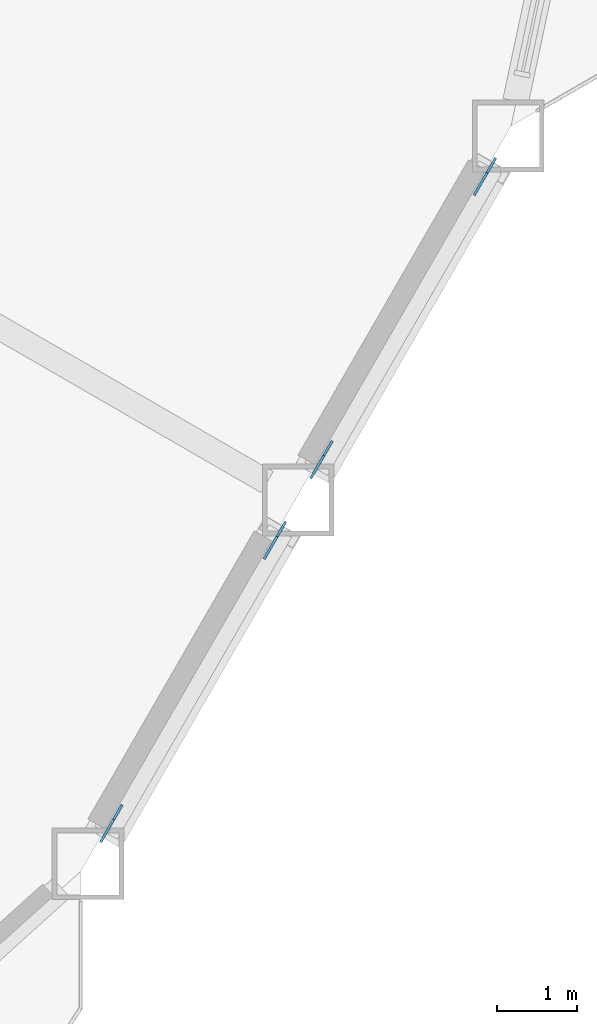
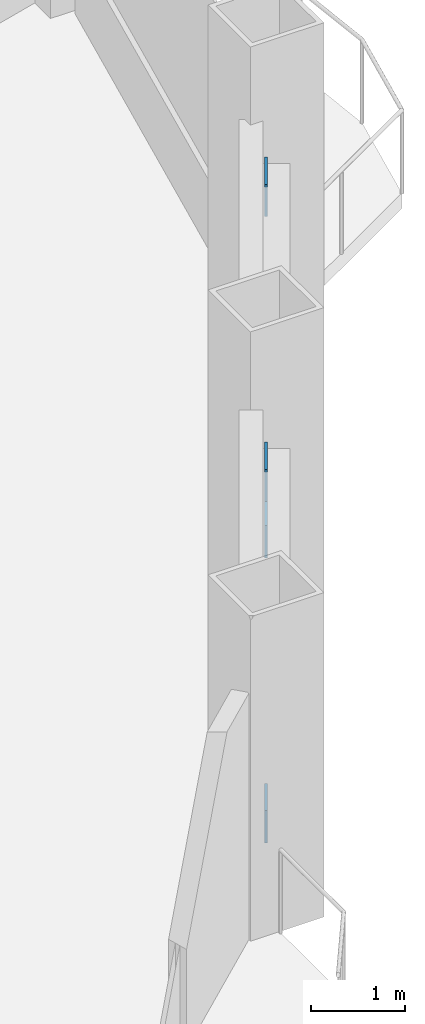
# One storey, part 15 of 21: 4 discrete accessories.
"""IFC4 building model written with IfcOpenShell, lengths in metres."""

from ifc_helpers import new_model, si_unit, direction, frame, origin, origin_2d, place, context, subcontext, project, spatial, rectangle, extrude, material, material_profile, profile_set, type_object, element, save


model = new_model("IFC4")

# Units and contexts
model_context = context("Model", 3, precision=1e-05, world=origin(), true_north=direction((0.0, 1.0)))
body_context = subcontext(model_context, "Body", "Model", "MODEL_VIEW")
ifc_project = project(units=[si_unit("LENGTHUNIT", "METRE"), si_unit("AREAUNIT", "SQUARE_METRE"), si_unit("VOLUMEUNIT", "CUBIC_METRE"), si_unit("PLANEANGLEUNIT", "RADIAN"), si_unit("MASSUNIT", "GRAM", prefix="KILO")], contexts=[model_context])

# Site, building, storey
site_placement = place(None, origin())
site = spatial("IfcSite", under=ifc_project, at=site_placement, CompositionType="ELEMENT")
building_placement = place(site_placement, origin())
building = spatial("IfcBuilding", under=site, at=building_placement, Name="Cormorant Prow Tower", CompositionType="ELEMENT")
storey_placement = place(building_placement, frame((0.0, 0.0, 150.0)))
storey = spatial("IfcBuildingStorey", under=building, at=storey_placement, Name="L32", CompositionType="ELEMENT", Elevation=150.0)

# Discrete accessories
ifc_material = material(Name="Structural steel ASTM A500 Gr C", Category="steel")
ifc_material_profile = material_profile(ifc_material, rectangle(XDim=0.031982421875, YDim=0.60791015625, at=origin_2d()), Name="Gusset plate 32x608")
ifc_profile_set = profile_set([ifc_material_profile], Name="Structural steel ASTM A500 Gr C")
discrete_accessory_type = type_object("IfcDiscreteAccessoryType", Name="Gusset plate 32x608", PredefinedType="BRACKET", material=ifc_profile_set)
discrete_accessory_1_placement = place(storey_placement, frame((25.8740234375, -20.158935546875, 0.882568359375), z_axis=(-0.467787927946, -0.810088781331, -0.353455260013), x_axis=(0.865987003449, -0.500066505434, 0.0)))
element("IfcDiscreteAccessory", 1, at=discrete_accessory_1_placement, inside=storey, type_object=discrete_accessory_type, Name="Gusset plate GP1 L32.ESE00.g0", PredefinedType="BRACKET", context=body_context, shape_type="SweptSolid", body=[
    extrude(rectangle(XDim=0.031982421875, YDim=0.60791015625, at=origin_2d()), origin(), (0.0, 0.0, 1.0), 0.35009765625),
])
discrete_accessory_2_placement = place(storey_placement, frame((27.76025390625, -16.8916015625, 2.306396484375), z_axis=(0.468167615655, 0.810048586848, 0.353044431477), x_axis=(-0.865800459427, 0.500389412813, 0.0)))
element("IfcDiscreteAccessory", 2, at=discrete_accessory_2_placement, inside=storey, type_object=discrete_accessory_type, Name="Gusset plate GP1 L32.ESE00.g1", PredefinedType="BRACKET", context=body_context, shape_type="SweptSolid", body=[
    extrude(rectangle(XDim=0.031982421875, YDim=0.60791015625, at=origin_2d()), origin(), (0.0, 0.0, 1.0), 0.349853515625),
])
for number, where, z_axis, x_axis, name in (
    (3, (28.5087890625, -15.59521484375, 0.882568359375), (-0.467787927946, -0.810088781331, -0.353455260013), (0.865987003449, -0.500066505434, 0.0), "Gusset plate GP1 L32.ESE01.g0"),
    (4, (30.39501953125, -12.328125, 2.306396484375), (0.467903125124, 0.810288273314, 0.352844979601), (-0.865987003449, 0.500066505434, 0.0), "Gusset plate GP1 L32.ESE01.g1"),
):
    element("IfcDiscreteAccessory", number, at=place(storey_placement, frame(where, z_axis=z_axis, x_axis=x_axis)), inside=storey, type_object=discrete_accessory_type, Name=name, PredefinedType="BRACKET", context=body_context, shape_type="SweptSolid", body=[
        extrude(rectangle(XDim=0.031982421875, YDim=0.60791015625, at=origin_2d()), origin(), (0.0, 0.0, 1.0), 0.35009765625),
    ])

save(model, "model.ifc")
